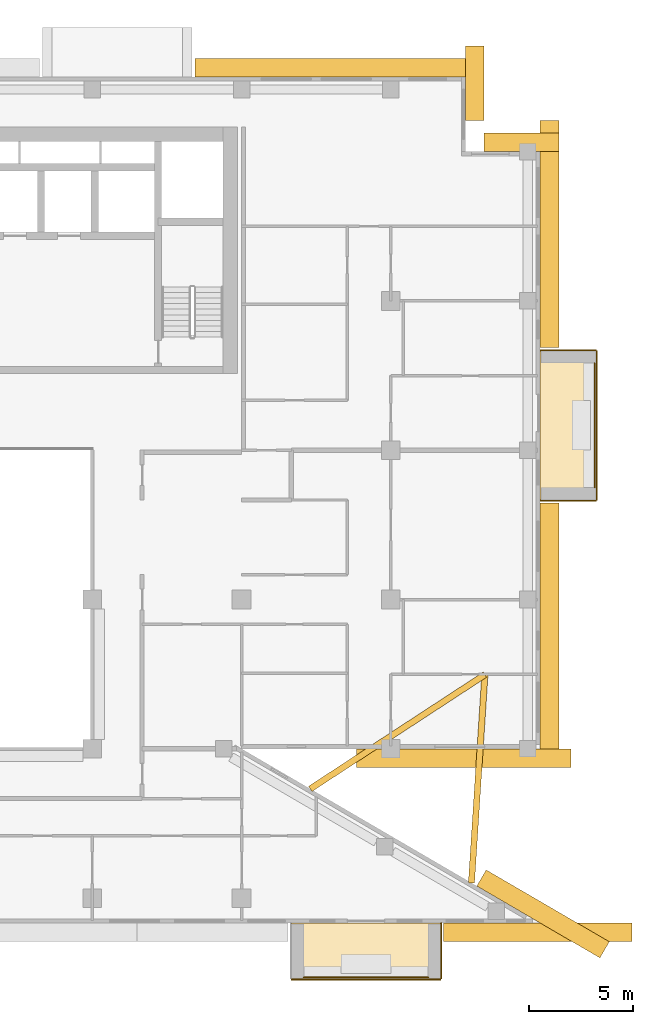
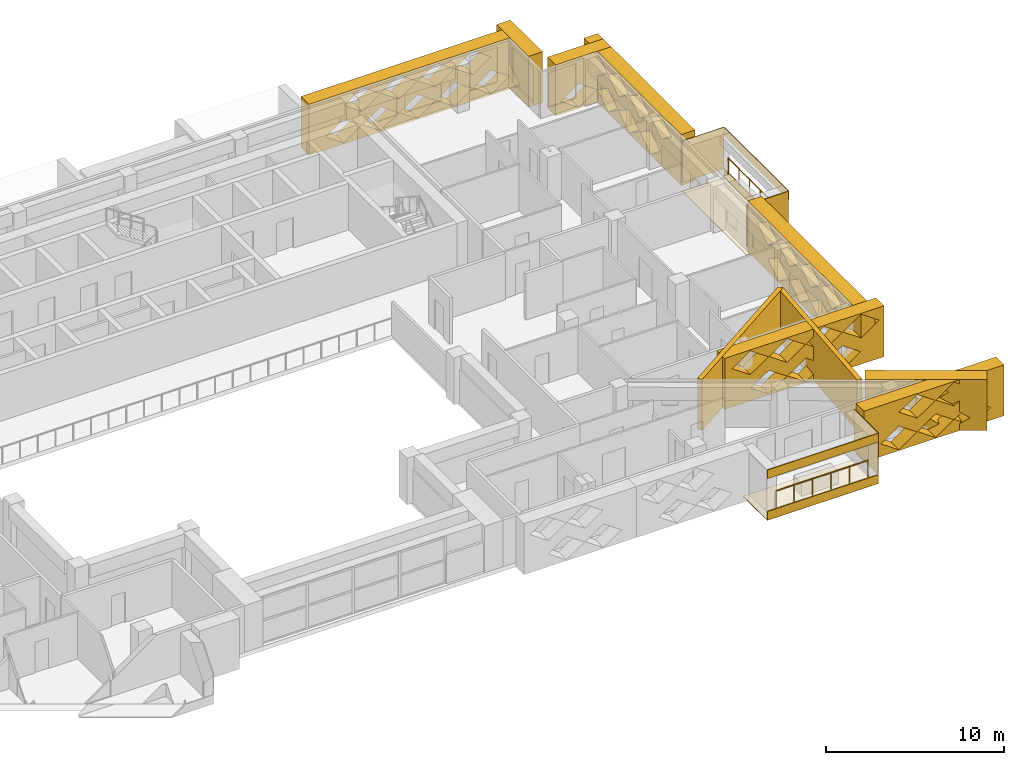
# One storey, part 20 of 20: 19 coverings, 2 railings.
"""IFC4 building model written with IfcOpenShell, lengths in metres."""

from ifc_helpers import new_model, si_unit, direction, frame, origin, origin_2d, place, context, subcontext, project, spatial, polyline, circle, outline, extrude, material, layer, layer_set, type_object, element, save


model = new_model("IFC4")

# Units and contexts
model_context = context("Model", 3, precision=1e-05, world=origin(), true_north=direction((0.0, 1.0)))
body_context = subcontext(model_context, "Body", "Model", "MODEL_VIEW")
ifc_project = project(units=[si_unit("LENGTHUNIT", "METRE"), si_unit("AREAUNIT", "SQUARE_METRE"), si_unit("VOLUMEUNIT", "CUBIC_METRE"), si_unit("PLANEANGLEUNIT", "RADIAN"), si_unit("MASSUNIT", "GRAM", prefix="KILO")], contexts=[model_context])

# Site, building, storey
site_placement = place(None, origin())
site = spatial("IfcSite", under=ifc_project, at=site_placement, CompositionType="ELEMENT")
building_placement = place(site_placement, origin())
building = spatial("IfcBuilding", under=site, at=building_placement, Name="Saffron Iwan Residences", CompositionType="ELEMENT")
storey_placement = place(building_placement, frame((0.0, 0.0, 195.5)))
storey = spatial("IfcBuildingStorey", under=building, at=storey_placement, Name="L52", CompositionType="ELEMENT", Elevation=195.5)

# Railings
ifc_material_1 = material(Name="Stainless steel 316", Category="steel")
railing_type = type_object("IfcRailingType", Name="BALCONY GUARD 1150", PredefinedType="GUARDRAIL", material=ifc_material_1)
railing_1_placement = place(storey_placement, frame((89.02490234375, 60.60009765625, 0.0)))
element("IfcRailing", 1, at=railing_1_placement, inside=storey, type_object=railing_type, Name="Balcony guard L52 F2-0", PredefinedType="GUARDRAIL", context=body_context, shape_type="SweptSolid", body=[
    extrude(circle(Radius=0.02392578125, at=origin_2d()), frame((0.0, 0.0, 1.1259765625), z_axis=(0.0, 1.0, 0.0), x_axis=(-1.0, 0.0, 0.0)), (0.0, 0.0, 1.0), 6.0),
    extrude(circle(Radius=0.02099609375, at=origin_2d()), origin(), (0.0, 0.0, 1.0), 1.101806640625),
    extrude(circle(Radius=0.02099609375, at=origin_2d()), frame((0.0, 1.199951171875, 0.0)), (0.0, 0.0, 1.0), 1.101806640625),
    extrude(circle(Radius=0.02099609375, at=origin_2d()), frame((0.0, 2.39990234375, 0.0)), (0.0, 0.0, 1.0), 1.101806640625),
    extrude(circle(Radius=0.02099609375, at=origin_2d()), frame((0.0, 3.60009765625, 0.0)), (0.0, 0.0, 1.0), 1.101806640625),
    extrude(circle(Radius=0.02099609375, at=origin_2d()), frame((0.0, 4.800048828125, 0.0)), (0.0, 0.0, 1.0), 1.101806640625),
    extrude(circle(Radius=0.02099609375, at=origin_2d()), frame((0.0, 6.0, 0.0)), (0.0, 0.0, 1.0), 1.101806640625),
])
railing_2_placement = place(storey_placement, frame((75.0, 36.97509765625, 0.0)))
element("IfcRailing", 2, at=railing_2_placement, inside=storey, type_object=railing_type, Name="Balcony guard L52 11-2", PredefinedType="GUARDRAIL", context=body_context, shape_type="SweptSolid", body=[
    extrude(circle(Radius=0.02392578125, at=origin_2d()), frame((0.0, 0.0, 1.1259765625), z_axis=(1.0, 0.0, 0.0), x_axis=(0.0, 1.0, 0.0)), (0.0, 0.0, 1.0), 6.0),
    extrude(circle(Radius=0.02099609375, at=origin_2d()), origin(), (0.0, 0.0, 1.0), 1.101806640625),
    extrude(circle(Radius=0.02099609375, at=origin_2d()), frame((1.199951171875, 0.0, 0.0)), (0.0, 0.0, 1.0), 1.101806640625),
    extrude(circle(Radius=0.02099609375, at=origin_2d()), frame((2.39990234375, 0.0, 0.0)), (0.0, 0.0, 1.0), 1.101806640625),
    extrude(circle(Radius=0.02099609375, at=origin_2d()), frame((3.60009765625, 0.0, 0.0)), (0.0, 0.0, 1.0), 1.101806640625),
    extrude(circle(Radius=0.02099609375, at=origin_2d()), frame((4.800048828125, 0.0, 0.0)), (0.0, 0.0, 1.0), 1.101806640625),
    extrude(circle(Radius=0.02099609375, at=origin_2d()), frame((6.0, 0.0, 0.0)), (0.0, 0.0, 1.0), 1.101806640625),
])

# Coverings
ifc_material_2 = material(Name="Precast concrete C40/50 white painted", Category="concrete")
ifc_layer_1 = layer(ifc_material_2, 0.050048828125)
ifc_layer_set_1 = layer_set([ifc_layer_1], Name="Precast concrete C40/50 white painted")
covering_type_1 = type_object("IfcCoveringType", Name="FRAME SKIN PRECAST WHITE 50", PredefinedType="CLADDING", material=ifc_layer_set_1)
for number, where, name in (
    (3, (0.0, 0.0, -0.60009765625), "Frame skin slab edge L52 F2-0"),
    (4, (0.0, 0.0, 2.25), "Frame skin fascia L52 F2-0"),
):
    element("IfcCovering", number, at=place(storey_placement, frame(where)), inside=storey, type_object=covering_type_1, Name=name, PredefinedType="CLADDING", context=body_context, shape_type="SweptSolid", body=[
        extrude(outline(polyline([(89.14990234375, 60.0), (89.14990234375, 67.199951171875), (89.10009765625, 67.199951171875), (89.10009765625, 60.0), (89.14990234375, 60.0)])), origin(), (0.0, 0.0, 1.0), 0.60009765625),
    ])
covering_1_placement = place(storey_placement, frame((0.0, 0.0, -0.64990234375)))
element("IfcCovering", 5, at=covering_1_placement, inside=storey, type_object=covering_type_1, Name="Frame skin soffit L52 F2-0", PredefinedType="CLADDING", context=body_context, shape_type="SweptSolid", body=[
    extrude(outline(polyline([(89.10009765625, 60.0), (89.10009765625, 67.199951171875), (86.39990234375, 67.199951171875), (86.39990234375, 60.0), (89.10009765625, 60.0)])), origin(), (0.0, 0.0, 1.0), 0.0498046875),
])
covering_2_placement = place(storey_placement, origin())
element("IfcCovering", 6, at=covering_2_placement, inside=storey, type_object=covering_type_1, Name="Frame skin fin L52 F2-0a", PredefinedType="CLADDING", context=body_context, shape_type="SweptSolid", body=[
    extrude(outline(polyline([(89.10009765625, 59.949951171875), (89.10009765625, 60.0), (86.39990234375, 60.0), (86.39990234375, 59.949951171875), (89.10009765625, 59.949951171875)])), origin(), (0.0, 0.0, 1.0), 2.85009765625),
])
covering_3_placement = place(storey_placement, origin())
element("IfcCovering", 7, at=covering_3_placement, inside=storey, type_object=covering_type_1, Name="Frame skin fin L52 F2-0b", PredefinedType="CLADDING", context=body_context, shape_type="SweptSolid", body=[
    extrude(outline(polyline([(89.10009765625, 67.199951171875), (89.10009765625, 67.25), (86.39990234375, 67.25), (86.39990234375, 67.199951171875), (89.10009765625, 67.199951171875)])), origin(), (0.0, 0.0, 1.0), 2.85009765625),
])
for number, where, name in (
    (8, (0.0, 0.0, -0.60009765625), "Frame skin slab edge L52 11-2"),
    (9, (0.0, 0.0, 2.25), "Frame skin fascia L52 11-2"),
):
    element("IfcCovering", number, at=place(storey_placement, frame(where)), inside=storey, type_object=covering_type_1, Name=name, PredefinedType="CLADDING", context=body_context, shape_type="SweptSolid", body=[
        extrude(outline(polyline([(74.39990234375, 36.85009765625), (81.60009765625, 36.85009765625), (81.60009765625, 36.89990234375), (74.39990234375, 36.89990234375), (74.39990234375, 36.85009765625)])), origin(), (0.0, 0.0, 1.0), 0.60009765625),
    ])
covering_4_placement = place(storey_placement, frame((0.0, 0.0, -0.64990234375)))
element("IfcCovering", 10, at=covering_4_placement, inside=storey, type_object=covering_type_1, Name="Frame skin soffit L52 11-2", PredefinedType="CLADDING", context=body_context, shape_type="SweptSolid", body=[
    extrude(outline(polyline([(74.39990234375, 36.89990234375), (81.60009765625, 36.89990234375), (81.60009765625, 39.60009765625), (74.39990234375, 39.60009765625), (74.39990234375, 36.89990234375)])), origin(), (0.0, 0.0, 1.0), 0.0498046875),
])
covering_5_placement = place(storey_placement, origin())
element("IfcCovering", 11, at=covering_5_placement, inside=storey, type_object=covering_type_1, Name="Frame skin fin L52 11-2b", PredefinedType="CLADDING", context=body_context, shape_type="SweptSolid", body=[
    extrude(outline(polyline([(81.60009765625, 36.89990234375), (81.64990234375, 36.89990234375), (81.64990234375, 39.60009765625), (81.60009765625, 39.60009765625), (81.60009765625, 36.89990234375)])), origin(), (0.0, 0.0, 1.0), 2.85009765625),
])
ifc_material_3 = material(Name="Precast concrete C40/50", Category="concrete")
covering_type_2 = type_object("IfcCoveringType", Name="OUTER SKIN LATTICE SCREEN", PredefinedType="CLADDING", material=ifc_material_3)
covering_6_placement = place(storey_placement, frame((89.283935546875, 37.917724609375, -0.300048828125), z_axis=(0.503803550485, 0.863818257806, 0.0), x_axis=(-0.863818257806, 0.503803550485, 0.0)))
element("IfcCovering", 12, at=covering_6_placement, inside=storey, type_object=covering_type_2, Name="OUTER SKIN lattice screen L52 F0.0", PredefinedType="CLADDING", context=body_context, shape_type="SweptSolid", body=[
    extrude(outline(polyline([(0.0, 0.0), (6.874267578125, 0.0), (6.874267578125, 3.5), (0.0, 3.5), (0.0, 0.0)]), holes=[polyline([(0.958740234375, 0.875), (2.138671875, 0.06005859375), (3.318603515625, 0.875), (2.138671875, 1.68994140625), (0.958740234375, 0.875)]), polyline([(3.358642578125, 0.875), (4.538818359375, 0.06005859375), (5.71875, 0.875), (4.538818359375, 1.68994140625), (3.358642578125, 0.875)]), polyline([(2.15869140625, 2.625), (3.338623046875, 1.81005859375), (4.518798828125, 2.625), (3.338623046875, 3.43994140625), (2.15869140625, 2.625)])]), origin(), (0.0, 0.0, 1.0), 0.89990234375),
])
covering_7_placement = place(storey_placement, frame((77.538818359375, 48.0, -0.300048828125), z_axis=(0.0, -1.0, 0.0), x_axis=(1.0, 0.0, 0.0)))
element("IfcCovering", 13, at=covering_7_placement, inside=storey, type_object=covering_type_2, Name="OUTER SKIN lattice screen L52 F1.0", PredefinedType="CLADDING", context=body_context, shape_type="SweptSolid", body=[
    extrude(outline(polyline([(0.0, 0.0), (10.361328125, 0.0), (10.361328125, 3.5), (0.0, 3.5), (0.0, 0.0)]), holes=[polyline([(1.681396484375, 0.875), (2.861328125, 0.06005859375), (4.041259765625, 0.875), (2.861328125, 1.68994140625), (1.681396484375, 0.875)]), polyline([(4.081298828125, 0.875), (5.26123046875, 0.06005859375), (6.44140625, 0.875), (5.26123046875, 1.68994140625), (4.081298828125, 0.875)]), polyline([(6.481201171875, 0.875), (7.661376953125, 0.06005859375), (8.84130859375, 0.875), (7.661376953125, 1.68994140625), (6.481201171875, 0.875)]), polyline([(0.481201171875, 2.625), (1.661376953125, 1.81005859375), (2.84130859375, 2.625), (1.661376953125, 3.43994140625), (0.481201171875, 2.625)]), polyline([(2.88134765625, 2.625), (4.061279296875, 1.81005859375), (5.2412109375, 2.625), (4.061279296875, 3.43994140625), (2.88134765625, 2.625)]), polyline([(5.28125, 2.625), (6.461181640625, 1.81005859375), (7.641357421875, 2.625), (6.461181640625, 3.43994140625), (5.28125, 2.625)]), polyline([(7.681396484375, 2.625), (8.861328125, 1.81005859375), (10.041259765625, 2.625), (8.861328125, 3.43994140625), (7.681396484375, 2.625)])]), origin(), (0.0, 0.0, 1.0), 0.89990234375),
])
covering_8_placement = place(storey_placement, frame((86.39990234375, 47.10009765625, -0.300048828125), z_axis=(1.0, 0.0, 0.0), x_axis=(0.0, 1.0, 0.0)))
element("IfcCovering", 14, at=covering_8_placement, inside=storey, type_object=covering_type_2, Name="OUTER SKIN lattice screen L52 F2.0", PredefinedType="CLADDING", context=body_context, shape_type="SweptSolid", body=[
    extrude(outline(polyline([(0.0, 0.0), (12.75, 0.0), (12.75, 3.5), (0.0, 3.5), (0.0, 0.0)]), holes=[polyline([(0.919921875, 0.875), (2.10009765625, 0.06005859375), (3.280029296875, 0.875), (2.10009765625, 1.68994140625), (0.919921875, 0.875)]), polyline([(3.320068359375, 0.875), (4.5, 0.06005859375), (5.679931640625, 0.875), (4.5, 1.68994140625), (3.320068359375, 0.875)]), polyline([(5.719970703125, 0.875), (6.89990234375, 0.06005859375), (8.080078125, 0.875), (6.89990234375, 1.68994140625), (5.719970703125, 0.875)]), polyline([(8.1201171875, 0.875), (9.300048828125, 0.06005859375), (10.47998046875, 0.875), (9.300048828125, 1.68994140625), (8.1201171875, 0.875)]), polyline([(2.1201171875, 2.625), (3.300048828125, 1.81005859375), (4.47998046875, 2.625), (3.300048828125, 3.43994140625), (2.1201171875, 2.625)]), polyline([(4.52001953125, 2.625), (5.699951171875, 1.81005859375), (6.8798828125, 2.625), (5.699951171875, 3.43994140625), (4.52001953125, 2.625)]), polyline([(6.919921875, 2.625), (8.10009765625, 1.81005859375), (9.280029296875, 2.625), (8.10009765625, 3.43994140625), (6.919921875, 2.625)]), polyline([(9.320068359375, 2.625), (10.5, 1.81005859375), (11.679931640625, 2.625), (10.5, 3.43994140625), (9.320068359375, 2.625)])]), origin(), (0.0, 0.0, 1.0), 0.900146484375),
])
covering_9_placement = place(storey_placement, frame((86.39990234375, 67.35009765625, -0.300048828125), z_axis=(1.0, 0.0, 0.0), x_axis=(0.0, 1.0, 0.0)))
element("IfcCovering", 15, at=covering_9_placement, inside=storey, type_object=covering_type_2, Name="OUTER SKIN lattice screen L52 F2.1", PredefinedType="CLADDING", context=body_context, shape_type="SweptSolid", body=[
    extrude(outline(polyline([(0.0, 0.0), (10.949951171875, 0.0), (10.949951171875, 3.5), (0.0, 3.5), (0.0, 0.0)]), holes=[polyline([(2.27001953125, 0.875), (3.449951171875, 0.06005859375), (4.6298828125, 0.875), (3.449951171875, 1.68994140625), (2.27001953125, 0.875)]), polyline([(4.669921875, 0.875), (5.85009765625, 0.06005859375), (7.030029296875, 0.875), (5.85009765625, 1.68994140625), (4.669921875, 0.875)]), polyline([(7.070068359375, 0.875), (8.25, 0.06005859375), (9.429931640625, 0.875), (8.25, 1.68994140625), (7.070068359375, 0.875)]), polyline([(1.070068359375, 2.625), (2.25, 1.81005859375), (3.429931640625, 2.625), (2.25, 3.43994140625), (1.070068359375, 2.625)]), polyline([(3.469970703125, 2.625), (4.64990234375, 1.81005859375), (5.830078125, 2.625), (4.64990234375, 3.43994140625), (3.469970703125, 2.625)]), polyline([(5.8701171875, 2.625), (7.050048828125, 1.81005859375), (8.22998046875, 2.625), (7.050048828125, 3.43994140625), (5.8701171875, 2.625)]), polyline([(8.27001953125, 2.625), (9.449951171875, 1.81005859375), (10.6298828125, 2.625), (9.449951171875, 3.43994140625), (8.27001953125, 2.625)])]), origin(), (0.0, 0.0, 1.0), 0.900146484375),
])
for number, where, z_axis, x_axis, name in (
    (16, (87.300048828125, 76.800048828125, -0.300048828125), (0.0, 1.0, 0.0), (-1.0, 0.0, 0.0), "OUTER SKIN lattice screen L52 F3.0"),
    (17, (82.800048828125, 78.300048828125, -0.300048828125), (1.0, 0.0, 0.0), (0.0, 1.0, 0.0), "OUTER SKIN lattice screen L52 F4.0"),
):
    element("IfcCovering", number, at=place(storey_placement, frame(where, z_axis=z_axis, x_axis=x_axis)), inside=storey, type_object=covering_type_2, Name=name, PredefinedType="CLADDING", context=body_context, shape_type="SweptSolid", body=[
        extrude(outline(polyline([(0.0, 0.0), (3.60009765625, 0.0), (3.60009765625, 3.5), (0.0, 3.5), (0.0, 0.0)]), holes=[polyline([(0.919921875, 0.875), (2.10009765625, 0.06005859375), (3.280029296875, 0.875), (2.10009765625, 1.68994140625), (0.919921875, 0.875)])]), origin(), (0.0, 0.0, 1.0), 0.89990234375),
    ])
covering_10_placement = place(storey_placement, frame((83.699951171875, 80.39990234375, -0.300048828125), z_axis=(0.0, 1.0, 0.0), x_axis=(-1.0, 0.0, 0.0)))
element("IfcCovering", 18, at=covering_10_placement, inside=storey, type_object=covering_type_2, Name="OUTER SKIN lattice screen L52 F5.0", PredefinedType="CLADDING", context=body_context, shape_type="SweptSolid", body=[
    extrude(outline(polyline([(0.0, 0.0), (13.949951171875, 0.0), (13.949951171875, 3.5), (0.0, 3.5), (0.0, 0.0)]), holes=[polyline([(0.919921875, 0.875), (2.10009765625, 0.06005859375), (3.280029296875, 0.875), (2.10009765625, 1.68994140625), (0.919921875, 0.875)]), polyline([(3.320068359375, 0.875), (4.5, 0.06005859375), (5.679931640625, 0.875), (4.5, 1.68994140625), (3.320068359375, 0.875)]), polyline([(5.719970703125, 0.875), (6.89990234375, 0.06005859375), (8.080078125, 0.875), (6.89990234375, 1.68994140625), (5.719970703125, 0.875)]), polyline([(8.1201171875, 0.875), (9.300048828125, 0.06005859375), (10.47998046875, 0.875), (9.300048828125, 1.68994140625), (8.1201171875, 0.875)]), polyline([(10.52001953125, 0.875), (11.699951171875, 0.06005859375), (12.8798828125, 0.875), (11.699951171875, 1.68994140625), (10.52001953125, 0.875)]), polyline([(2.1201171875, 2.625), (3.300048828125, 1.81005859375), (4.47998046875, 2.625), (3.300048828125, 3.43994140625), (2.1201171875, 2.625)]), polyline([(4.52001953125, 2.625), (5.699951171875, 1.81005859375), (6.8798828125, 2.625), (5.699951171875, 3.43994140625), (4.52001953125, 2.625)]), polyline([(6.919921875, 2.625), (8.10009765625, 1.81005859375), (9.280029296875, 2.625), (8.10009765625, 3.43994140625), (6.919921875, 2.625)]), polyline([(9.320068359375, 2.625), (10.5, 1.81005859375), (11.679931640625, 2.625), (10.5, 3.43994140625), (9.320068359375, 2.625)])]), origin(), (0.0, 0.0, 1.0), 0.900146484375),
])
covering_11_placement = place(storey_placement, frame((81.75, 39.60009765625, -0.300048828125), z_axis=(0.0, -1.0, 0.0), x_axis=(1.0, 0.0, 0.0)))
element("IfcCovering", 19, at=covering_11_placement, inside=storey, type_object=covering_type_2, Name="OUTER SKIN lattice screen L52 F11.4", PredefinedType="CLADDING", context=body_context, shape_type="SweptSolid", body=[
    extrude(outline(polyline([(0.0, 0.0), (9.088623046875, 0.0), (9.088623046875, 3.5), (0.0, 3.5), (0.0, 0.0)]), holes=[polyline([(1.070068359375, 0.875), (2.25, 0.06005859375), (3.429931640625, 0.875), (2.25, 1.68994140625), (1.070068359375, 0.875)]), polyline([(3.469970703125, 0.875), (4.64990234375, 0.06005859375), (5.830078125, 0.875), (4.64990234375, 1.68994140625), (3.469970703125, 0.875)]), polyline([(5.8701171875, 0.875), (7.050048828125, 0.06005859375), (8.22998046875, 0.875), (7.050048828125, 1.68994140625), (5.8701171875, 0.875)]), polyline([(2.27001953125, 2.625), (3.449951171875, 1.81005859375), (4.6298828125, 2.625), (3.449951171875, 3.43994140625), (2.27001953125, 2.625)]), polyline([(4.669921875, 2.625), (5.85009765625, 1.81005859375), (7.030029296875, 2.625), (5.85009765625, 3.43994140625), (4.669921875, 2.625)])]), origin(), (0.0, 0.0, 1.0), 0.900146484375),
])
ifc_layer_2 = layer(ifc_material_2, 0.300048828125)
ifc_layer_set_2 = layer_set([ifc_layer_2], Name="Precast concrete C40/50 white painted")
covering_type_3 = type_object("IfcCoveringType", Name="PROW NOSE BLADE PRECAST WHITE", PredefinedType="CLADDING", material=ifc_layer_set_2)
covering_12_placement = place(storey_placement, frame((0.0, 0.0, -0.300048828125)))
element("IfcCovering", 20, at=covering_12_placement, inside=storey, type_object=covering_type_3, Name="Prow nose blade L52 a", PredefinedType="CLADDING", context=body_context, shape_type="SweptSolid", body=[
    extrude(outline(polyline([(83.23681640625, 41.52294921875), (83.884521484375, 51.564453125), (83.585205078125, 51.583740234375), (82.937255859375, 41.542236328125), (83.23681640625, 41.52294921875)])), origin(), (0.0, 0.0, 1.0), 3.5),
])
covering_13_placement = place(storey_placement, frame((0.0, 0.0, -0.300048828125)))
element("IfcCovering", 21, at=covering_13_placement, inside=storey, type_object=covering_type_3, Name="Prow nose blade L52 b", PredefinedType="CLADDING", context=body_context, shape_type="SweptSolid", body=[
    extrude(outline(polyline([(75.39501953125, 45.94189453125), (83.81689453125, 51.448486328125), (83.65283203125, 51.69970703125), (75.23095703125, 46.193115234375), (75.39501953125, 45.94189453125)])), origin(), (0.0, 0.0, 1.0), 3.5),
])

save(model, "model.ifc")
